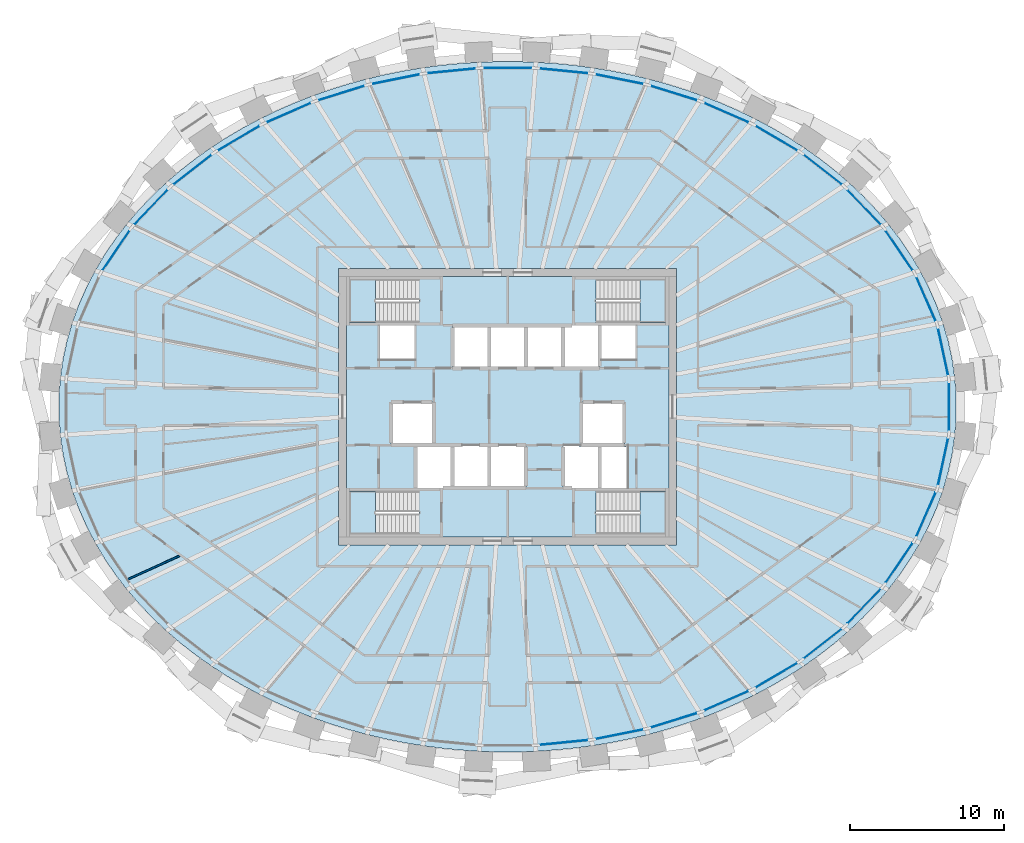
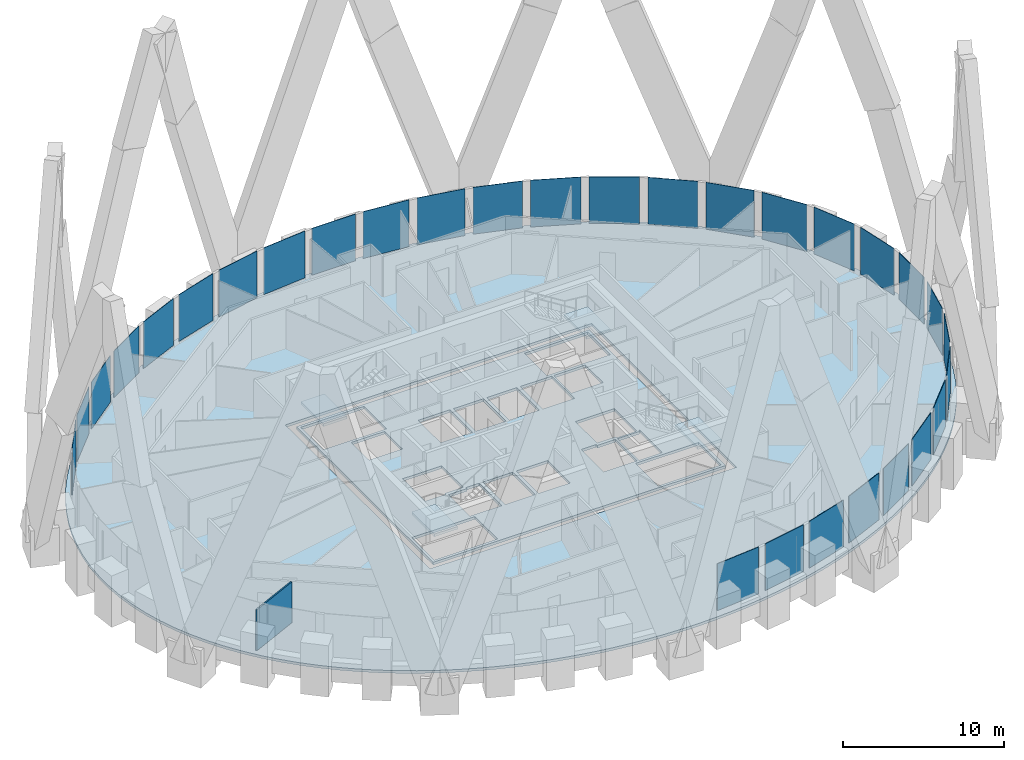
# One storey, part 6 of 13: 30 plates, 6 slabs, 1 wall, 5 elements without a shape of their own.
"""IFC4 building model written with IfcOpenShell, lengths in metres."""

from ifc_helpers import new_model, si_unit, direction, frame, frame_2d, origin, origin_2d, place, context, subcontext, project, spatial, polyline, rectangle, outline, extrude, source, transform, mapped, material, layer, layer_set, type_object, element, aggregate, save


model = new_model("IFC4")

# Units and contexts
model_context = context("Model", 3, precision=1e-05, world=origin(), true_north=direction((0.0, 1.0)))
body_context = subcontext(model_context, "Body", "Model", "MODEL_VIEW")
ifc_project = project(units=[si_unit("LENGTHUNIT", "METRE"), si_unit("AREAUNIT", "SQUARE_METRE"), si_unit("VOLUMEUNIT", "CUBIC_METRE"), si_unit("PLANEANGLEUNIT", "RADIAN"), si_unit("MASSUNIT", "GRAM", prefix="KILO")], contexts=[model_context])

# Site, building, storey
site_placement = place(None, origin())
site = spatial("IfcSite", under=ifc_project, at=site_placement, CompositionType="ELEMENT")
building_placement = place(site_placement, origin())
building = spatial("IfcBuilding", under=site, at=building_placement, Name="Embergate Tower", CompositionType="ELEMENT")
storey_placement = place(building_placement, frame((0.0, 0.0, 316.89990234375)))
storey = spatial("IfcBuildingStorey", under=building, at=storey_placement, Name="L74", CompositionType="ELEMENT", Elevation=316.89990234375)

# Slab
ifc_material_1 = material(Name="Concrete C40", Category="concrete")
ifc_layer_1 = layer(ifc_material_1, 0.199951171875)
ifc_layer_set_1 = layer_set([ifc_layer_1], Name="Concrete C40")
slab_type_1 = type_object("IfcSlabType", Name="Composite floor slab C40 200", PredefinedType="FLOOR", material=ifc_layer_set_1)
shared_shape_1 = source(origin(), body_context, "Body", "SweptSolid", [
    extrude(outline(polyline([(0.0, 0.0), (1.23583984375, 0.0), (2.471923828125, 0.0400390625), (3.7080078125, 0.12109375), (4.93896484375, 0.2421875), (6.161865234375, 0.403076171875), (7.386962890625, 0.606201171875), (8.598876953125, 0.84912109375), (9.796875, 1.132080078125), (10.996826171875, 1.460205078125), (12.177978515625, 1.828125), (13.3369140625, 2.234130859375), (14.496826171875, 2.691162109375), (15.6298828125, 3.18603515625), (16.73291015625, 3.719970703125), (17.8349609375, 4.30810546875), (18.90087890625, 4.93505859375), (19.928955078125, 5.59814453125), (20.948974609375, 6.322998046875), (21.923828125, 7.0830078125), (22.849853515625, 7.879150390625), (23.760009765625, 8.739990234375), (24.613037109375, 9.635009765625), (25.406982421875, 10.56005859375), (26.169921875, 11.55419921875), (26.864990234375, 12.576171875), (27.489990234375, 13.6240234375), (28.06396484375, 14.733154296875), (28.559814453125, 15.864990234375), (28.97802734375, 17.01513671875), (29.322998046875, 18.210205078125), (29.5830078125, 19.41796875), (29.7568359375, 20.635009765625), (29.844970703125, 21.8681640625), (29.844970703125, 23.10400390625), (29.7568359375, 24.337158203125), (29.5830078125, 25.55419921875), (29.322998046875, 26.761962890625), (28.97802734375, 27.95703125), (28.559814453125, 29.107177734375), (28.06396484375, 30.239013671875), (27.489990234375, 31.34814453125), (26.864990234375, 32.39599609375), (26.169921875, 33.41796875), (25.406982421875, 34.412109375), (24.613037109375, 35.337158203125), (23.760009765625, 36.232177734375), (22.849853515625, 37.093017578125), (21.923828125, 37.88916015625), (20.948974609375, 38.649169921875), (19.928955078125, 39.3740234375), (18.90087890625, 40.037109375), (17.8349609375, 40.6640625), (16.73291015625, 41.252197265625), (15.6298828125, 41.7861328125), (14.496826171875, 42.281005859375), (13.3369140625, 42.738037109375), (12.177978515625, 43.14404296875), (10.996826171875, 43.511962890625), (9.796875, 43.840087890625), (8.598876953125, 44.123046875), (7.386962890625, 44.365966796875), (6.161865234375, 44.569091796875), (4.93896484375, 44.72998046875), (3.7080078125, 44.85107421875), (2.471923828125, 44.93212890625), (1.23583984375, 44.97216796875), (0.0, 44.97216796875), (-1.236083984375, 44.93212890625), (-2.47216796875, 44.85107421875), (-3.703125, 44.72998046875), (-4.926025390625, 44.569091796875), (-6.151123046875, 44.365966796875), (-7.363037109375, 44.123046875), (-8.56103515625, 43.840087890625), (-9.760986328125, 43.511962890625), (-10.942138671875, 43.14404296875), (-12.10107421875, 42.738037109375), (-13.260986328125, 42.281005859375), (-14.39404296875, 41.7861328125), (-15.4970703125, 41.252197265625), (-16.59912109375, 40.6640625), (-17.6650390625, 40.037109375), (-18.693115234375, 39.3740234375), (-19.713134765625, 38.649169921875), (-20.68798828125, 37.88916015625), (-21.614013671875, 37.093017578125), (-22.524169921875, 36.232177734375), (-23.377197265625, 35.337158203125), (-24.171142578125, 34.412109375), (-24.93408203125, 33.41796875), (-25.629150390625, 32.39599609375), (-26.254150390625, 31.34814453125), (-26.828125, 30.239013671875), (-27.323974609375, 29.107177734375), (-27.7421875, 27.95703125), (-28.087158203125, 26.761962890625), (-28.34716796875, 25.55419921875), (-28.52099609375, 24.337158203125), (-28.609130859375, 23.10400390625), (-28.609130859375, 21.8681640625), (-28.52099609375, 20.635009765625), (-28.34716796875, 19.41796875), (-28.087158203125, 18.210205078125), (-27.7421875, 17.01513671875), (-27.323974609375, 15.864990234375), (-26.828125, 14.733154296875), (-26.254150390625, 13.6240234375), (-25.629150390625, 12.576171875), (-24.93408203125, 11.55419921875), (-24.171142578125, 10.56005859375), (-23.377197265625, 9.635009765625), (-22.524169921875, 8.739990234375), (-21.614013671875, 7.879150390625), (-20.68798828125, 7.0830078125), (-19.713134765625, 6.322998046875), (-18.693115234375, 5.59814453125), (-17.6650390625, 4.93505859375), (-16.59912109375, 4.30810546875), (-15.4970703125, 3.719970703125), (-14.39404296875, 3.18603515625), (-13.260986328125, 2.691162109375), (-12.10107421875, 2.234130859375), (-10.942138671875, 1.828125), (-9.760986328125, 1.460205078125), (-8.56103515625, 1.132080078125), (-7.363037109375, 0.84912109375), (-6.151123046875, 0.606201171875), (-4.926025390625, 0.403076171875), (-3.703125, 0.2421875), (-2.47216796875, 0.12109375), (-1.236083984375, 0.0400390625), (0.0, 0.0)]), holes=[polyline([(-10.382080078125, 13.486083984375), (-10.382080078125, 31.486083984375), (11.617919921875, 31.486083984375), (11.617919921875, 13.486083984375), (-10.382080078125, 13.486083984375)])]), origin(), (0.0, 0.0, 1.0), 0.199951171875),
])
slab_1_placement = place(storey_placement, frame((-0.617919921875, -22.486083984375, -0.199951171875)))
element("IfcSlab", 1, at=slab_1_placement, inside=storey, type_object=slab_type_1, Name="SLB-L74-00", PredefinedType="FLOOR", context=body_context, shape_type="MappedRepresentation", body=[
    mapped(shared_shape_1, transform((0.0, 0.0, 0.0))),
])

# Curtain wall, plates
ifc_material_2 = material(Name="Aluminium and glass", Category="aluminium")
curtain_wall_type = type_object("IfcCurtainWallType", Name="Recessed office glazing", PredefinedType="NOTDEFINED", material=ifc_material_2)
curtain_wall_placement = place(storey_placement, origin())
curtain_wall = element("IfcCurtainWall", 2, at=curtain_wall_placement, inside=storey, type_object=curtain_wall_type, Name="Recessed office glazing ring", ObjectType="RECESSED OFFICE GLAZING", PredefinedType="USERDEFINED")
ifc_material_3 = material(Name="Triple glazing, low-emissivity coating", Category="glass")
ifc_layer_2 = layer(ifc_material_3, 0.035888671875)
ifc_layer_set_2 = layer_set([ifc_layer_2], Name="Triple glazing, low-emissivity coating")
plate_type = type_object("IfcPlateType", Name="Office glazing unit", PredefinedType="CURTAIN_PANEL", material=ifc_layer_set_2)
shared_shape_2 = source(origin(), body_context, "Body", "SweptSolid", [
    extrude(rectangle(XDim=3.101318359375, YDim=0.035888671875, at=origin_2d()), origin(), (0.0, 0.0, 1.0), 3.550048828125),
])
plate_1_placement = place(storey_placement, frame((28.3701171875, 3.57958984375, 0.14990234375), z_axis=(0.0, 0.0, 1.0), x_axis=(-0.210400097438, 0.977615363524, 0.0)))
plate_1 = element("IfcPlate", 3, at=plate_1_placement, type_object=plate_type, Name="CW panel 1.1", PredefinedType="CURTAIN_PANEL", context=body_context, shape_type="MappedRepresentation", body=[
    mapped(shared_shape_2, transform((0.0, 0.0, 0.0))),
])
plate_2_placement = place(storey_placement, frame((28.3701171875, -3.57958984375, 0.14990234375), z_axis=(0.0, 0.0, 1.0), x_axis=(0.210400097438, 0.977615363524, 0.0)))
plate_2 = element("IfcPlate", 4, at=plate_2_placement, type_object=plate_type, Name="CW panel 43.1", PredefinedType="CURTAIN_PANEL", context=body_context, shape_type="MappedRepresentation", body=[
    mapped(shared_shape_2, transform((0.0, 0.0, 0.0))),
])
shared_shape_3 = source(origin(), body_context, "Body", "SweptSolid", [
    extrude(rectangle(XDim=3.108154296875, YDim=0.035888671875, at=origin_2d()), origin(), (0.0, 0.0, 1.0), 3.550048828125),
])
plate_3_placement = place(storey_placement, frame((27.260498046875, 7.010986328125, 0.14990234375), z_axis=(0.0, 0.0, 1.0), x_axis=(-0.401653699516, 0.915791627864, 0.0)))
plate_3 = element("IfcPlate", 5, at=plate_3_placement, type_object=plate_type, Name="CW panel 2.1", PredefinedType="CURTAIN_PANEL", context=body_context, shape_type="MappedRepresentation", body=[
    mapped(shared_shape_3, transform((0.0, 0.0, 0.0))),
])
plate_4_placement = place(storey_placement, frame((27.260498046875, -7.010986328125, 0.14990234375), z_axis=(0.0, 0.0, 1.0), x_axis=(0.401653699516, 0.915791627864, 0.0)))
plate_4 = element("IfcPlate", 6, at=plate_4_placement, type_object=plate_type, Name="CW panel 42.1", PredefinedType="CURTAIN_PANEL", context=body_context, shape_type="MappedRepresentation", body=[
    mapped(shared_shape_3, transform((0.0, 0.0, 0.0))),
])
shared_shape_4 = source(origin(), body_context, "Body", "SweptSolid", [
    extrude(rectangle(XDim=3.11669921875, YDim=0.035888671875, at=origin_2d()), origin(), (0.0, 0.0, 1.0), 3.550048828125),
])
plate_5_placement = place(storey_placement, frame((25.50927734375, 10.176025390625, 0.14990234375), z_axis=(0.0, 0.0, 1.0), x_axis=(-0.562343185136, 0.826903949762, 0.0)))
plate_5 = element("IfcPlate", 7, at=plate_5_placement, type_object=plate_type, Name="CW panel 3.1", PredefinedType="CURTAIN_PANEL", context=body_context, shape_type="MappedRepresentation", body=[
    mapped(shared_shape_4, transform((0.0, 0.0, 0.0))),
])
plate_6_placement = place(storey_placement, frame((-25.50927734375, 10.176025390625, 0.14990234375), z_axis=(0.0, 0.0, 1.0), x_axis=(-0.562343185136, -0.826903949762, 0.0)))
plate_6 = element("IfcPlate", 8, at=plate_6_placement, type_object=plate_type, Name="CW panel 19.1", PredefinedType="CURTAIN_PANEL", context=body_context, shape_type="MappedRepresentation", body=[
    mapped(shared_shape_4, transform((0.0, 0.0, 0.0))),
])
plate_7_placement = place(storey_placement, frame((25.50927734375, -10.176025390625, 0.14990234375), z_axis=(0.0, 0.0, 1.0), x_axis=(0.562343185136, 0.826903949762, 0.0)))
plate_7 = element("IfcPlate", 9, at=plate_7_placement, type_object=plate_type, Name="CW panel 41.1", PredefinedType="CURTAIN_PANEL", context=body_context, shape_type="MappedRepresentation", body=[
    mapped(shared_shape_4, transform((0.0, 0.0, 0.0))),
])
shared_shape_5 = source(origin(), body_context, "Body", "SweptSolid", [
    extrude(rectangle(XDim=3.125, YDim=0.035888671875, at=origin_2d()), origin(), (0.0, 0.0, 1.0), 3.550048828125),
])
plate_8_placement = place(storey_placement, frame((23.22900390625, 12.99853515625, 0.14990234375), z_axis=(0.0, 0.0, 1.0), x_axis=(-0.690133784465, 0.723681808215, 0.0)))
plate_8 = element("IfcPlate", 10, at=plate_8_placement, type_object=plate_type, Name="CW panel 4.1", PredefinedType="CURTAIN_PANEL", context=body_context, shape_type="MappedRepresentation", body=[
    mapped(shared_shape_5, transform((0.0, 0.0, 0.0))),
])
plate_9_placement = place(storey_placement, frame((-23.22900390625, 12.99853515625, 0.14990234375), z_axis=(0.0, 0.0, 1.0), x_axis=(-0.690133784465, -0.723681808215, 0.0)))
plate_9 = element("IfcPlate", 11, at=plate_9_placement, type_object=plate_type, Name="CW panel 18.1", PredefinedType="CURTAIN_PANEL", context=body_context, shape_type="MappedRepresentation", body=[
    mapped(shared_shape_5, transform((0.0, 0.0, 0.0))),
])
plate_10_placement = place(storey_placement, frame((23.22900390625, -12.99853515625, 0.14990234375), z_axis=(0.0, 0.0, 1.0), x_axis=(0.690133784465, 0.723681808215, 0.0)))
plate_10 = element("IfcPlate", 12, at=plate_10_placement, type_object=plate_type, Name="CW panel 40.1", PredefinedType="CURTAIN_PANEL", context=body_context, shape_type="MappedRepresentation", body=[
    mapped(shared_shape_5, transform((0.0, 0.0, 0.0))),
])
shared_shape_6 = source(origin(), body_context, "Body", "SweptSolid", [
    extrude(rectangle(XDim=3.13232421875, YDim=0.035888671875, at=origin_2d()), origin(), (0.0, 0.0, 1.0), 3.550048828125),
])
plate_11_placement = place(storey_placement, frame((20.531494140625, 15.44091796875, 0.14990234375), z_axis=(0.0, 0.0, 1.0), x_axis=(-0.788319045413, 0.615266676035, 0.0)))
plate_11 = element("IfcPlate", 13, at=plate_11_placement, type_object=plate_type, Name="CW panel 5.1", PredefinedType="CURTAIN_PANEL", context=body_context, shape_type="MappedRepresentation", body=[
    mapped(shared_shape_6, transform((0.0, 0.0, 0.0))),
])
plate_12_placement = place(storey_placement, frame((-20.531494140625, 15.44091796875, 0.14990234375), z_axis=(0.0, 0.0, 1.0), x_axis=(-0.788319045413, -0.615266676035, 0.0)))
plate_12 = element("IfcPlate", 14, at=plate_12_placement, type_object=plate_type, Name="CW panel 17.1", PredefinedType="CURTAIN_PANEL", context=body_context, shape_type="MappedRepresentation", body=[
    mapped(shared_shape_6, transform((0.0, 0.0, 0.0))),
])
plate_13_placement = place(storey_placement, frame((20.531494140625, -15.44091796875, 0.14990234375), z_axis=(0.0, 0.0, 1.0), x_axis=(0.788319045413, 0.615266676035, 0.0)))
plate_13 = element("IfcPlate", 15, at=plate_13_placement, type_object=plate_type, Name="CW panel 39.1", PredefinedType="CURTAIN_PANEL", context=body_context, shape_type="MappedRepresentation", body=[
    mapped(shared_shape_6, transform((0.0, 0.0, 0.0))),
])
shared_shape_7 = source(origin(), body_context, "Body", "SweptSolid", [
    extrude(rectangle(XDim=3.13818359375, YDim=0.035888671875, at=origin_2d()), origin(), (0.0, 0.0, 1.0), 3.550048828125),
])
plate_14_placement = place(storey_placement, frame((17.515380859375, 17.49169921875, 0.14990234375), z_axis=(0.0, 0.0, 1.0), x_axis=(-0.862051398678, 0.50682086188, 0.0)))
plate_14 = element("IfcPlate", 16, at=plate_14_placement, type_object=plate_type, Name="CW panel 6.1", PredefinedType="CURTAIN_PANEL", context=body_context, shape_type="MappedRepresentation", body=[
    mapped(shared_shape_7, transform((0.0, 0.0, 0.0))),
])
plate_15_placement = place(storey_placement, frame((-17.515380859375, 17.49169921875, 0.14990234375), z_axis=(0.0, 0.0, 1.0), x_axis=(-0.862051398678, -0.50682086188, 0.0)))
plate_15 = element("IfcPlate", 17, at=plate_15_placement, type_object=plate_type, Name="CW panel 16.1", PredefinedType="CURTAIN_PANEL", context=body_context, shape_type="MappedRepresentation", body=[
    mapped(shared_shape_7, transform((0.0, 0.0, 0.0))),
])
plate_16_placement = place(storey_placement, frame((17.515380859375, -17.49169921875, 0.14990234375), z_axis=(0.0, 0.0, 1.0), x_axis=(0.862051398678, 0.50682086188, 0.0)))
plate_16 = element("IfcPlate", 18, at=plate_16_placement, type_object=plate_type, Name="CW panel 38.1", PredefinedType="CURTAIN_PANEL", context=body_context, shape_type="MappedRepresentation", body=[
    mapped(shared_shape_7, transform((0.0, 0.0, 0.0))),
])
shared_shape_8 = source(origin(), body_context, "Body", "SweptSolid", [
    extrude(rectangle(XDim=3.142578125, YDim=0.035888671875, at=origin_2d()), origin(), (0.0, 0.0, 1.0), 3.550048828125),
])
plate_17_placement = place(storey_placement, frame((14.260498046875, 19.15234375, 0.14990234375), z_axis=(0.0, 0.0, 1.0), x_axis=(-0.916234813243, 0.400641694037, 0.0)))
plate_17 = element("IfcPlate", 19, at=plate_17_placement, type_object=plate_type, Name="CW panel 7.1", PredefinedType="CURTAIN_PANEL", context=body_context, shape_type="MappedRepresentation", body=[
    mapped(shared_shape_8, transform((0.0, 0.0, 0.0))),
])
plate_18_placement = place(storey_placement, frame((-14.260498046875, 19.15234375, 0.14990234375), z_axis=(0.0, 0.0, 1.0), x_axis=(-0.916234813243, -0.400641694037, 0.0)))
plate_18 = element("IfcPlate", 20, at=plate_18_placement, type_object=plate_type, Name="CW panel 15.1", PredefinedType="CURTAIN_PANEL", context=body_context, shape_type="MappedRepresentation", body=[
    mapped(shared_shape_8, transform((0.0, 0.0, 0.0))),
])
plate_19_placement = place(storey_placement, frame((14.260498046875, -19.15234375, 0.14990234375), z_axis=(0.0, 0.0, 1.0), x_axis=(0.916234813243, 0.400641694037, 0.0)))
plate_19 = element("IfcPlate", 21, at=plate_19_placement, type_object=plate_type, Name="CW panel 37.1", PredefinedType="CURTAIN_PANEL", context=body_context, shape_type="MappedRepresentation", body=[
    mapped(shared_shape_8, transform((0.0, 0.0, 0.0))),
])
shared_shape_9 = source(origin(), body_context, "Body", "SweptSolid", [
    extrude(rectangle(XDim=3.145751953125, YDim=0.035888671875, at=origin_2d()), origin(), (0.0, 0.0, 1.0), 3.550048828125),
])
plate_20_placement = place(storey_placement, frame((10.832763671875, 20.430908203125, 0.14990234375), z_axis=(0.0, 0.0, 1.0), x_axis=(-0.954771179262, 0.297341546458, 0.0)))
plate_20 = element("IfcPlate", 22, at=plate_20_placement, type_object=plate_type, Name="CW panel 8.1", PredefinedType="CURTAIN_PANEL", context=body_context, shape_type="MappedRepresentation", body=[
    mapped(shared_shape_9, transform((0.0, 0.0, 0.0))),
])
plate_21_placement = place(storey_placement, frame((-10.832763671875, 20.430908203125, 0.14990234375), z_axis=(0.0, 0.0, 1.0), x_axis=(-0.954771179262, -0.297341546458, 0.0)))
plate_21 = element("IfcPlate", 23, at=plate_21_placement, type_object=plate_type, Name="CW panel 14.1", PredefinedType="CURTAIN_PANEL", context=body_context, shape_type="MappedRepresentation", body=[
    mapped(shared_shape_9, transform((0.0, 0.0, 0.0))),
])
plate_22_placement = place(storey_placement, frame((10.832763671875, -20.430908203125, 0.14990234375), z_axis=(0.0, 0.0, 1.0), x_axis=(0.954771179262, 0.297341546458, 0.0)))
plate_22 = element("IfcPlate", 24, at=plate_22_placement, type_object=plate_type, Name="CW panel 36.1", PredefinedType="CURTAIN_PANEL", context=body_context, shape_type="MappedRepresentation", body=[
    mapped(shared_shape_9, transform((0.0, 0.0, 0.0))),
])
shared_shape_10 = source(origin(), body_context, "Body", "SweptSolid", [
    extrude(rectangle(XDim=3.14794921875, YDim=0.035888671875, at=origin_2d()), origin(), (0.0, 0.0, 1.0), 3.550048828125),
])
plate_23_placement = place(storey_placement, frame((7.28466796875, 21.336669921875, 0.14990234375), z_axis=(0.0, 0.0, 1.0), x_axis=(-0.980475564207, 0.196640962142, 0.0)))
plate_23 = element("IfcPlate", 25, at=plate_23_placement, type_object=plate_type, Name="CW panel 9.1", PredefinedType="CURTAIN_PANEL", context=body_context, shape_type="MappedRepresentation", body=[
    mapped(shared_shape_10, transform((0.0, 0.0, 0.0))),
])
plate_24_placement = place(storey_placement, frame((-7.28466796875, 21.336669921875, 0.14990234375), z_axis=(0.0, 0.0, 1.0), x_axis=(-0.980475564207, -0.196640962142, 0.0)))
plate_24 = element("IfcPlate", 26, at=plate_24_placement, type_object=plate_type, Name="CW panel 13.1", PredefinedType="CURTAIN_PANEL", context=body_context, shape_type="MappedRepresentation", body=[
    mapped(shared_shape_10, transform((0.0, 0.0, 0.0))),
])
plate_25_placement = place(storey_placement, frame((7.28466796875, -21.336669921875, 0.14990234375), z_axis=(0.0, 0.0, 1.0), x_axis=(0.980475564207, 0.196640962142, 0.0)))
plate_25 = element("IfcPlate", 27, at=plate_25_placement, type_object=plate_type, Name="CW panel 35.1", PredefinedType="CURTAIN_PANEL", context=body_context, shape_type="MappedRepresentation", body=[
    mapped(shared_shape_10, transform((0.0, 0.0, 0.0))),
])
shared_shape_11 = source(origin(), body_context, "Body", "SweptSolid", [
    extrude(rectangle(XDim=3.149169921875, YDim=0.035888671875, at=origin_2d()), origin(), (0.0, 0.0, 1.0), 3.550048828125),
])
plate_26_placement = place(storey_placement, frame((3.66064453125, 21.876708984375, 0.14990234375), z_axis=(0.0, 0.0, 1.0), x_axis=(-0.995203184788, 0.097829550688, 0.0)))
plate_26 = element("IfcPlate", 28, at=plate_26_placement, type_object=plate_type, Name="CW panel 10.1", PredefinedType="CURTAIN_PANEL", context=body_context, shape_type="MappedRepresentation", body=[
    mapped(shared_shape_11, transform((0.0, 0.0, 0.0))),
])
plate_27_placement = place(storey_placement, frame((-3.66064453125, 21.876708984375, 0.14990234375), z_axis=(0.0, 0.0, 1.0), x_axis=(-0.995203184788, -0.097829550688, 0.0)))
plate_27 = element("IfcPlate", 29, at=plate_27_placement, type_object=plate_type, Name="CW panel 12.1", PredefinedType="CURTAIN_PANEL", context=body_context, shape_type="MappedRepresentation", body=[
    mapped(shared_shape_11, transform((0.0, 0.0, 0.0))),
])
plate_28_placement = place(storey_placement, frame((3.66064453125, -21.876708984375, 0.14990234375), z_axis=(0.0, 0.0, 1.0), x_axis=(0.995203184788, 0.097829550688, 0.0)))
plate_28 = element("IfcPlate", 30, at=plate_28_placement, type_object=plate_type, Name="CW panel 34.1", PredefinedType="CURTAIN_PANEL", context=body_context, shape_type="MappedRepresentation", body=[
    mapped(shared_shape_11, transform((0.0, 0.0, 0.0))),
])
shared_shape_12 = source(origin(), body_context, "Body", "SweptSolid", [
    extrude(rectangle(XDim=3.149658203125, YDim=0.035888671875, at=origin_2d()), origin(), (0.0, 0.0, 1.0), 3.550048828125),
])
plate_29_placement = place(storey_placement, frame((0.0, 22.05615234375, 0.14990234375), z_axis=(0.0, 0.0, 1.0), x_axis=(-1.0, 0.0, 0.0)))
plate_29 = element("IfcPlate", 31, at=plate_29_placement, type_object=plate_type, Name="CW panel 11.1", PredefinedType="CURTAIN_PANEL", context=body_context, shape_type="MappedRepresentation", body=[
    mapped(shared_shape_12, transform((0.0, 0.0, 0.0))),
])
shared_shape_13 = source(origin(), body_context, "Body", "SweptSolid", [
    extrude(rectangle(XDim=3.098876953125, YDim=0.035888671875, at=origin_2d()), origin(), (0.0, 0.0, 1.0), 3.550048828125),
])
plate_30_placement = place(storey_placement, frame((28.7509765625, 0.0, 0.14990234375), z_axis=(0.0, 0.0, 1.0), x_axis=(0.0, 1.0, 0.0)))
plate_30 = element("IfcPlate", 32, at=plate_30_placement, type_object=plate_type, Name="CW panel 44.1", PredefinedType="CURTAIN_PANEL", context=body_context, shape_type="MappedRepresentation", body=[
    mapped(shared_shape_13, transform((0.0, 0.0, 0.0))),
])
aggregate(curtain_wall, [plate_1, plate_3, plate_5, plate_8, plate_11, plate_14, plate_17, plate_20, plate_23, plate_26, plate_29, plate_27, plate_24, plate_21, plate_18, plate_15, plate_12, plate_9, plate_6, plate_28, plate_25, plate_22, plate_19, plate_16, plate_13, plate_10, plate_7, plate_4, plate_2, plate_30])

# Stair, slab
ifc_material_4 = material(Name="Exit stair")
stair_type = type_object("IfcStairType", Name="Exit stair", PredefinedType="HALF_TURN_STAIR", material=ifc_material_4)
stair_1_placement = place(storey_placement, origin())
stair_1 = element("IfcStair", 33, at=stair_1_placement, inside=storey, type_object=stair_type, Name="L74 Exit stair 1", PredefinedType="HALF_TURN_STAIR")
ifc_layer_3 = layer(ifc_material_1, 0.199951171875)
ifc_layer_set_3 = layer_set([ifc_layer_3], Name="Concrete C40")
slab_type_2 = type_object("IfcSlabType", Name="Stair landing reinforced concrete", PredefinedType="LANDING", material=ifc_layer_set_3)
shared_shape_14 = source(origin(), body_context, "Body", "SweptSolid", [
    extrude(outline(polyline([(0.0, 0.0), (1.68994140625, 0.0), (1.68994140625, 2.800048828125), (0.0, 2.800048828125), (0.0, 0.0)])), origin(), (0.0, 0.0, 1.0), 0.2001953125),
])
slab_2_placement = place(storey_placement, frame((-10.300048828125, 5.5, 1.75)))
slab_2 = element("IfcSlab", 34, at=slab_2_placement, type_object=slab_type_2, Name="ST1 landing 1", PredefinedType="LANDING", context=body_context, shape_type="MappedRepresentation", body=[
    mapped(shared_shape_14, transform((0.0, 0.0, 0.0))),
])
aggregate(stair_1, [slab_2])

stair_2_placement = place(storey_placement, origin())
stair_2 = element("IfcStair", 35, at=stair_2_placement, inside=storey, type_object=stair_type, Name="L74 Exit stair 2", PredefinedType="HALF_TURN_STAIR")
slab_3_placement = place(storey_placement, frame((8.610107421875, 5.5, 1.75)))
slab_3 = element("IfcSlab", 36, at=slab_3_placement, type_object=slab_type_2, Name="ST2 landing 1", PredefinedType="LANDING", context=body_context, shape_type="MappedRepresentation", body=[
    mapped(shared_shape_14, transform((0.0, 0.0, 0.0))),
])
aggregate(stair_2, [slab_3])

stair_3_placement = place(storey_placement, origin())
stair_3 = element("IfcStair", 37, at=stair_3_placement, inside=storey, type_object=stair_type, Name="L74 Exit stair 3", PredefinedType="HALF_TURN_STAIR")
slab_4_placement = place(storey_placement, frame((-10.300048828125, -8.300048828125, 1.75)))
slab_4 = element("IfcSlab", 38, at=slab_4_placement, type_object=slab_type_2, Name="ST3 landing 1", PredefinedType="LANDING", context=body_context, shape_type="MappedRepresentation", body=[
    mapped(shared_shape_14, transform((0.0, 0.0, 0.0))),
])
aggregate(stair_3, [slab_4])

stair_4_placement = place(storey_placement, origin())
stair_4 = element("IfcStair", 39, at=stair_4_placement, inside=storey, type_object=stair_type, Name="L74 Exit stair 4", PredefinedType="HALF_TURN_STAIR")
slab_5_placement = place(storey_placement, frame((8.610107421875, -8.300048828125, 1.75)))
slab_5 = element("IfcSlab", 40, at=slab_5_placement, type_object=slab_type_2, Name="ST4 landing 1", PredefinedType="LANDING", context=body_context, shape_type="MappedRepresentation", body=[
    mapped(shared_shape_14, transform((0.0, 0.0, 0.0))),
])
aggregate(stair_4, [slab_5])

# Slab
ifc_layer_4 = layer(ifc_material_1, 0.199951171875)
ifc_layer_set_4 = layer_set([ifc_layer_4], Name="Concrete C40")
slab_type_3 = type_object("IfcSlabType", Name="Core floor slab 200 reinforced concrete", PredefinedType="FLOOR", material=ifc_layer_set_4)
shared_shape_15 = source(origin(), body_context, "Body", "SweptSolid", [
    extrude(outline(polyline([(0.0, 0.0), (21.0, 0.0), (21.0, 17.0), (0.0, 17.0), (0.0, 0.0)]), holes=[polyline([(0.199951171875, 0.199951171875), (0.199951171875, 3.0), (4.739990234375, 3.0), (4.739990234375, 0.199951171875), (0.199951171875, 0.199951171875)]), polyline([(16.260009765625, 0.199951171875), (16.260009765625, 3.0), (20.800048828125, 3.0), (20.800048828125, 0.199951171875), (16.260009765625, 0.199951171875)]), polyline([(4.5, 3.199951171875), (4.5, 5.875), (5.824951171875, 5.875), (5.824951171875, 6.0), (6.77490234375, 6.0), (6.77490234375, 3.199951171875), (4.5, 3.199951171875)]), polyline([(7.02490234375, 3.199951171875), (7.02490234375, 6.0), (9.175048828125, 6.0), (9.175048828125, 3.199951171875), (7.02490234375, 3.199951171875)]), polyline([(9.425048828125, 3.199951171875), (9.425048828125, 6.0), (11.699951171875, 6.0), (11.699951171875, 3.199951171875), (9.425048828125, 3.199951171875)]), polyline([(14.10009765625, 3.199951171875), (14.10009765625, 6.0), (15.175048828125, 6.0), (15.175048828125, 5.875), (16.5, 5.875), (16.5, 3.199951171875), (14.10009765625, 3.199951171875)]), polyline([(16.625, 3.199951171875), (16.625, 5.875), (18.22509765625, 5.875), (18.22509765625, 6.0), (18.300048828125, 6.0), (18.300048828125, 3.199951171875), (16.625, 3.199951171875)]), polyline([(2.89990234375, 6.0), (2.89990234375, 8.800048828125), (5.699951171875, 8.800048828125), (5.699951171875, 6.125), (4.375, 6.125), (4.375, 6.0), (2.89990234375, 6.0)]), polyline([(16.625, 6.0), (16.625, 6.125), (15.300048828125, 6.125), (15.300048828125, 8.800048828125), (18.10009765625, 8.800048828125), (18.10009765625, 6.0), (16.625, 6.0)]), polyline([(6.89990234375, 11.0), (6.89990234375, 13.800048828125), (9.175048828125, 13.800048828125), (9.175048828125, 11.0), (6.89990234375, 11.0)]), polyline([(9.425048828125, 11.0), (9.425048828125, 13.800048828125), (11.574951171875, 13.800048828125), (11.574951171875, 11.0), (9.425048828125, 11.0)]), polyline([(11.824951171875, 11.0), (11.824951171875, 13.800048828125), (13.97509765625, 13.800048828125), (13.97509765625, 11.0), (11.824951171875, 11.0)]), polyline([(14.22509765625, 11.0), (14.22509765625, 13.800048828125), (16.5, 13.800048828125), (16.5, 11.0), (14.22509765625, 11.0)]), polyline([(2.10009765625, 11.60009765625), (2.10009765625, 13.800048828125), (4.5, 13.800048828125), (4.5, 11.60009765625), (2.10009765625, 11.60009765625)]), polyline([(16.625, 11.60009765625), (16.625, 13.800048828125), (18.89990234375, 13.800048828125), (18.89990234375, 11.60009765625), (16.625, 11.60009765625)]), polyline([(0.199951171875, 14.0), (0.199951171875, 16.800048828125), (4.739990234375, 16.800048828125), (4.739990234375, 14.0), (0.199951171875, 14.0)]), polyline([(16.260009765625, 14.0), (16.260009765625, 16.800048828125), (20.800048828125, 16.800048828125), (20.800048828125, 14.0), (16.260009765625, 14.0)])]), origin(), (0.0, 0.0, 1.0), 0.199951171875),
])
slab_6_placement = place(storey_placement, frame((-10.5, -8.5, -0.199951171875)))
element("IfcSlab", 41, at=slab_6_placement, inside=storey, type_object=slab_type_3, Name="Core floor slab", PredefinedType="FLOOR", context=body_context, shape_type="MappedRepresentation", body=[
    mapped(shared_shape_15, transform((0.0, 0.0, 0.0))),
])

# Wall
ifc_material_5 = material(Name="Partition dry-lined 100")
ifc_layer_5 = layer(ifc_material_5, 0.10009765625)
ifc_layer_set_5 = layer_set([ifc_layer_5], Name="Partition dry-lined 100")
wall_type = type_object("IfcWallType", Name="Partition dry-lined 100", PredefinedType="PARTITIONING", material=ifc_layer_set_5)
shared_shape_16 = source(origin(), body_context, "Body", "SweptSolid", [
    extrude(rectangle(XDim=3.73046875, YDim=0.10009765625, at=frame_2d((1.865234375, 0.0))), origin(), (0.0, 0.0, 1.0), 3.10009765625),
])
wall_placement = place(storey_placement, frame((-21.39404296875, -9.72412109375, 0.0), z_axis=(0.0, 0.0, 1.0), x_axis=(-0.910335097273, -0.413871973771, 0.0)))
element("IfcWall", 42, at=wall_placement, inside=storey, type_object=wall_type, Name="IP-1 wall", PredefinedType="PARTITIONING", context=body_context, shape_type="MappedRepresentation", body=[
    mapped(shared_shape_16, transform((0.0, 0.0, 0.0))),
])

save(model, "model.ifc")
